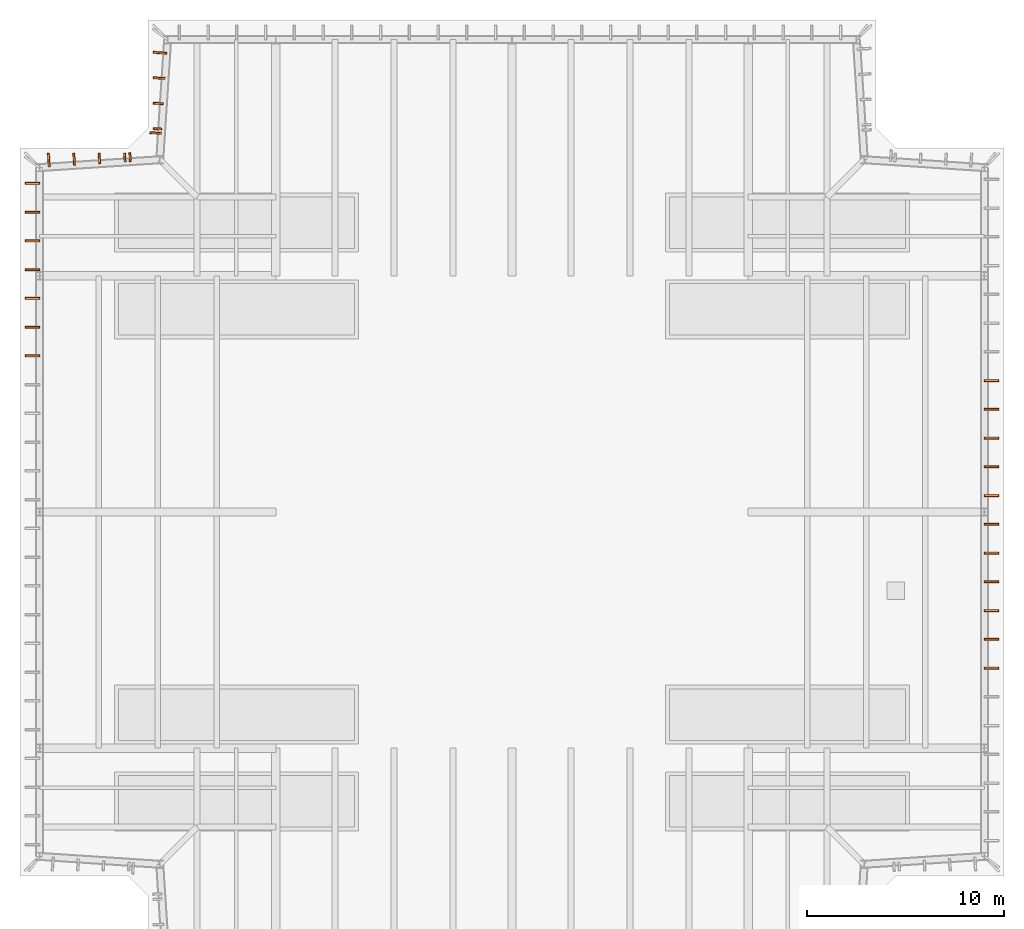
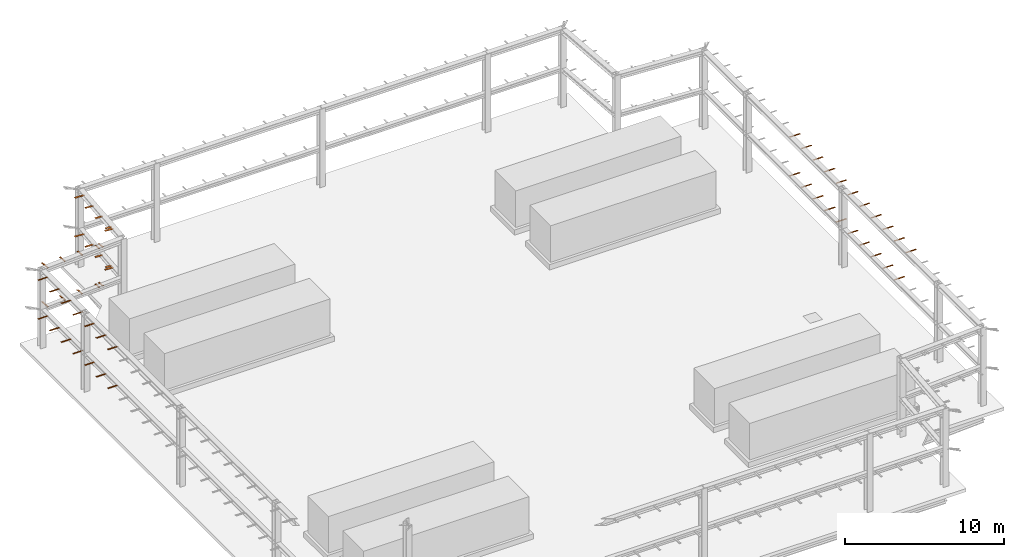
# One storey, part 6 of 8: 55 proxies.
"""IFC4 building model written with IfcOpenShell, lengths in metres."""

from ifc_helpers import new_model, si_unit, direction, frame, origin, origin_2d, place, context, subcontext, project, spatial, rectangle, extrude, material, material_profile, profile_set, type_object, element, save


model = new_model("IFC4")

# Units and contexts
model_context = context("Model", 3, precision=1e-05, world=origin(), true_north=direction((0.0, 1.0)))
body_context = subcontext(model_context, "Body", "Model", "MODEL_VIEW")
ifc_project = project(units=[si_unit("LENGTHUNIT", "METRE"), si_unit("AREAUNIT", "SQUARE_METRE"), si_unit("VOLUMEUNIT", "CUBIC_METRE"), si_unit("PLANEANGLEUNIT", "RADIAN"), si_unit("MASSUNIT", "GRAM", prefix="KILO")], contexts=[model_context])

# Site, building, storey
site_placement = place(None, origin())
site = spatial("IfcSite", under=ifc_project, at=site_placement, CompositionType="ELEMENT")
building_placement = place(site_placement, origin())
building = spatial("IfcBuilding", under=site, at=building_placement, Name="Fenwick Lantern Interchange", CompositionType="ELEMENT")
storey_placement = place(building_placement, frame((0.0, 0.0, 313.800048828125)))
storey = spatial("IfcBuildingStorey", under=building, at=storey_placement, Name="RF-A", CompositionType="ELEMENT", Elevation=313.800048828125)

# Proxies
ifc_material = material(Name="Steel ASTM A572 Grade 50", Category="steel")
ifc_material_profile = material_profile(ifc_material, rectangle(XDim=0.10009765625, YDim=0.011962890625, at=origin_2d()), Name="PL100X12")
ifc_profile_set = profile_set([ifc_material_profile], Name="Steel ASTM A572 Grade 50")
building_element_proxy_type = type_object("IfcBuildingElementProxyType", Name="LANTERN TIE BRACKET PL 100 X 12", PredefinedType="USERDEFINED", material=ifc_profile_set)
proxy_1_placement = place(storey_placement, frame((49.72509765625, 17.065673828125, 5.822265625), z_axis=(-1.0, 0.0, 0.0), x_axis=(0.0, -1.0, 0.0)))
element("IfcBuildingElementProxy", 1, at=proxy_1_placement, inside=storey, type_object=building_element_proxy_type, Name="Lantern tie bracket", ObjectType="LANTERN TIE BRACKET", PredefinedType="USERDEFINED", context=body_context, shape_type="SweptSolid", body=[
    extrude(rectangle(XDim=0.10009765625, YDim=0.011962890625, at=origin_2d()), origin(), (0.0, 0.0, 1.0), 0.719482421875),
])
proxy_2_placement = place(storey_placement, frame((49.72509765625, 18.5263671875, 2.84619140625), z_axis=(-1.0, 0.0, 0.0), x_axis=(0.0, -1.0, 0.0)))
element("IfcBuildingElementProxy", 2, at=proxy_2_placement, inside=storey, type_object=building_element_proxy_type, Name="Lantern tie bracket", ObjectType="LANTERN TIE BRACKET", PredefinedType="USERDEFINED", context=body_context, shape_type="SweptSolid", body=[
    extrude(rectangle(XDim=0.10009765625, YDim=0.011962890625, at=origin_2d()), origin(), (0.0, 0.0, 1.0), 0.72021484375),
])
proxy_3_placement = place(storey_placement, frame((49.72509765625, 18.5263671875, 5.822265625), z_axis=(-1.0, 0.0, 0.0), x_axis=(0.0, -1.0, 0.0)))
element("IfcBuildingElementProxy", 3, at=proxy_3_placement, inside=storey, type_object=building_element_proxy_type, Name="Lantern tie bracket", ObjectType="LANTERN TIE BRACKET", PredefinedType="USERDEFINED", context=body_context, shape_type="SweptSolid", body=[
    extrude(rectangle(XDim=0.10009765625, YDim=0.011962890625, at=origin_2d()), origin(), (0.0, 0.0, 1.0), 0.719482421875),
])
proxy_4_placement = place(storey_placement, frame((49.72509765625, 19.9873046875, 2.84619140625), z_axis=(-1.0, 0.0, 0.0), x_axis=(0.0, -1.0, 0.0)))
element("IfcBuildingElementProxy", 4, at=proxy_4_placement, inside=storey, type_object=building_element_proxy_type, Name="Lantern tie bracket", ObjectType="LANTERN TIE BRACKET", PredefinedType="USERDEFINED", context=body_context, shape_type="SweptSolid", body=[
    extrude(rectangle(XDim=0.10009765625, YDim=0.011962890625, at=origin_2d()), origin(), (0.0, 0.0, 1.0), 0.72021484375),
])
proxy_5_placement = place(storey_placement, frame((49.72509765625, 19.9873046875, 5.822265625), z_axis=(-1.0, 0.0, 0.0), x_axis=(0.0, -1.0, 0.0)))
element("IfcBuildingElementProxy", 5, at=proxy_5_placement, inside=storey, type_object=building_element_proxy_type, Name="Lantern tie bracket", ObjectType="LANTERN TIE BRACKET", PredefinedType="USERDEFINED", context=body_context, shape_type="SweptSolid", body=[
    extrude(rectangle(XDim=0.10009765625, YDim=0.011962890625, at=origin_2d()), origin(), (0.0, 0.0, 1.0), 0.719482421875),
])
proxy_6_placement = place(storey_placement, frame((49.72509765625, 21.447998046875, 2.84619140625), z_axis=(-1.0, 0.0, 0.0), x_axis=(0.0, -1.0, 0.0)))
element("IfcBuildingElementProxy", 6, at=proxy_6_placement, inside=storey, type_object=building_element_proxy_type, Name="Lantern tie bracket", ObjectType="LANTERN TIE BRACKET", PredefinedType="USERDEFINED", context=body_context, shape_type="SweptSolid", body=[
    extrude(rectangle(XDim=0.10009765625, YDim=0.011962890625, at=origin_2d()), origin(), (0.0, 0.0, 1.0), 0.72021484375),
])
proxy_7_placement = place(storey_placement, frame((49.72509765625, 21.447998046875, 5.822265625), z_axis=(-1.0, 0.0, 0.0), x_axis=(0.0, -1.0, 0.0)))
element("IfcBuildingElementProxy", 7, at=proxy_7_placement, inside=storey, type_object=building_element_proxy_type, Name="Lantern tie bracket", ObjectType="LANTERN TIE BRACKET", PredefinedType="USERDEFINED", context=body_context, shape_type="SweptSolid", body=[
    extrude(rectangle(XDim=0.10009765625, YDim=0.011962890625, at=origin_2d()), origin(), (0.0, 0.0, 1.0), 0.719482421875),
])
proxy_8_placement = place(storey_placement, frame((49.72509765625, 22.90869140625, 2.84619140625), z_axis=(-1.0, 0.0, 0.0), x_axis=(0.0, -1.0, 0.0)))
element("IfcBuildingElementProxy", 8, at=proxy_8_placement, inside=storey, type_object=building_element_proxy_type, Name="Lantern tie bracket", ObjectType="LANTERN TIE BRACKET", PredefinedType="USERDEFINED", context=body_context, shape_type="SweptSolid", body=[
    extrude(rectangle(XDim=0.10009765625, YDim=0.011962890625, at=origin_2d()), origin(), (0.0, 0.0, 1.0), 0.72021484375),
])
proxy_9_placement = place(storey_placement, frame((49.72509765625, 22.90869140625, 5.822265625), z_axis=(-1.0, 0.0, 0.0), x_axis=(0.0, -1.0, 0.0)))
element("IfcBuildingElementProxy", 9, at=proxy_9_placement, inside=storey, type_object=building_element_proxy_type, Name="Lantern tie bracket", ObjectType="LANTERN TIE BRACKET", PredefinedType="USERDEFINED", context=body_context, shape_type="SweptSolid", body=[
    extrude(rectangle(XDim=0.10009765625, YDim=0.011962890625, at=origin_2d()), origin(), (0.0, 0.0, 1.0), 0.719482421875),
])
proxy_10_placement = place(storey_placement, frame((49.72509765625, 24.36962890625, 2.84619140625), z_axis=(-1.0, 0.0, 0.0), x_axis=(0.0, -1.0, 0.0)))
element("IfcBuildingElementProxy", 10, at=proxy_10_placement, inside=storey, type_object=building_element_proxy_type, Name="Lantern tie bracket", ObjectType="LANTERN TIE BRACKET", PredefinedType="USERDEFINED", context=body_context, shape_type="SweptSolid", body=[
    extrude(rectangle(XDim=0.10009765625, YDim=0.011962890625, at=origin_2d()), origin(), (0.0, 0.0, 1.0), 0.72021484375),
])
proxy_11_placement = place(storey_placement, frame((49.72509765625, 24.36962890625, 5.822265625), z_axis=(-1.0, 0.0, 0.0), x_axis=(0.0, -1.0, 0.0)))
element("IfcBuildingElementProxy", 11, at=proxy_11_placement, inside=storey, type_object=building_element_proxy_type, Name="Lantern tie bracket", ObjectType="LANTERN TIE BRACKET", PredefinedType="USERDEFINED", context=body_context, shape_type="SweptSolid", body=[
    extrude(rectangle(XDim=0.10009765625, YDim=0.011962890625, at=origin_2d()), origin(), (0.0, 0.0, 1.0), 0.719482421875),
])
proxy_12_placement = place(storey_placement, frame((49.72509765625, 25.830322265625, 2.84619140625), z_axis=(-1.0, 0.0, 0.0), x_axis=(0.0, -1.0, 0.0)))
element("IfcBuildingElementProxy", 12, at=proxy_12_placement, inside=storey, type_object=building_element_proxy_type, Name="Lantern tie bracket", ObjectType="LANTERN TIE BRACKET", PredefinedType="USERDEFINED", context=body_context, shape_type="SweptSolid", body=[
    extrude(rectangle(XDim=0.10009765625, YDim=0.011962890625, at=origin_2d()), origin(), (0.0, 0.0, 1.0), 0.72021484375),
])
proxy_13_placement = place(storey_placement, frame((49.72509765625, 25.830322265625, 5.822265625), z_axis=(-1.0, 0.0, 0.0), x_axis=(0.0, -1.0, 0.0)))
element("IfcBuildingElementProxy", 13, at=proxy_13_placement, inside=storey, type_object=building_element_proxy_type, Name="Lantern tie bracket", ObjectType="LANTERN TIE BRACKET", PredefinedType="USERDEFINED", context=body_context, shape_type="SweptSolid", body=[
    extrude(rectangle(XDim=0.10009765625, YDim=0.011962890625, at=origin_2d()), origin(), (0.0, 0.0, 1.0), 0.719482421875),
])
proxy_14_placement = place(storey_placement, frame((49.72509765625, 27.291259765625, 2.84619140625), z_axis=(-1.0, 0.0, 0.0), x_axis=(0.0, -1.0, 0.0)))
element("IfcBuildingElementProxy", 14, at=proxy_14_placement, inside=storey, type_object=building_element_proxy_type, Name="Lantern tie bracket", ObjectType="LANTERN TIE BRACKET", PredefinedType="USERDEFINED", context=body_context, shape_type="SweptSolid", body=[
    extrude(rectangle(XDim=0.10009765625, YDim=0.011962890625, at=origin_2d()), origin(), (0.0, 0.0, 1.0), 0.72021484375),
])
proxy_15_placement = place(storey_placement, frame((49.72509765625, 27.291259765625, 5.822265625), z_axis=(-1.0, 0.0, 0.0), x_axis=(0.0, -1.0, 0.0)))
element("IfcBuildingElementProxy", 15, at=proxy_15_placement, inside=storey, type_object=building_element_proxy_type, Name="Lantern tie bracket", ObjectType="LANTERN TIE BRACKET", PredefinedType="USERDEFINED", context=body_context, shape_type="SweptSolid", body=[
    extrude(rectangle(XDim=0.10009765625, YDim=0.011962890625, at=origin_2d()), origin(), (0.0, 0.0, 1.0), 0.719482421875),
])
proxy_16_placement = place(storey_placement, frame((49.72509765625, 28.751953125, 2.84619140625), z_axis=(-1.0, 0.0, 0.0), x_axis=(0.0, -1.0, 0.0)))
element("IfcBuildingElementProxy", 16, at=proxy_16_placement, inside=storey, type_object=building_element_proxy_type, Name="Lantern tie bracket", ObjectType="LANTERN TIE BRACKET", PredefinedType="USERDEFINED", context=body_context, shape_type="SweptSolid", body=[
    extrude(rectangle(XDim=0.10009765625, YDim=0.011962890625, at=origin_2d()), origin(), (0.0, 0.0, 1.0), 0.72021484375),
])
proxy_17_placement = place(storey_placement, frame((49.72509765625, 28.751953125, 5.822265625), z_axis=(-1.0, 0.0, 0.0), x_axis=(0.0, -1.0, 0.0)))
element("IfcBuildingElementProxy", 17, at=proxy_17_placement, inside=storey, type_object=building_element_proxy_type, Name="Lantern tie bracket", ObjectType="LANTERN TIE BRACKET", PredefinedType="USERDEFINED", context=body_context, shape_type="SweptSolid", body=[
    extrude(rectangle(XDim=0.10009765625, YDim=0.011962890625, at=origin_2d()), origin(), (0.0, 0.0, 1.0), 0.719482421875),
])
proxy_18_placement = place(storey_placement, frame((49.72509765625, 30.212890625, 2.84619140625), z_axis=(-1.0, 0.0, 0.0), x_axis=(0.0, -1.0, 0.0)))
element("IfcBuildingElementProxy", 18, at=proxy_18_placement, inside=storey, type_object=building_element_proxy_type, Name="Lantern tie bracket", ObjectType="LANTERN TIE BRACKET", PredefinedType="USERDEFINED", context=body_context, shape_type="SweptSolid", body=[
    extrude(rectangle(XDim=0.10009765625, YDim=0.011962890625, at=origin_2d()), origin(), (0.0, 0.0, 1.0), 0.72021484375),
])
proxy_19_placement = place(storey_placement, frame((49.72509765625, 30.212890625, 5.822265625), z_axis=(-1.0, 0.0, 0.0), x_axis=(0.0, -1.0, 0.0)))
element("IfcBuildingElementProxy", 19, at=proxy_19_placement, inside=storey, type_object=building_element_proxy_type, Name="Lantern tie bracket", ObjectType="LANTERN TIE BRACKET", PredefinedType="USERDEFINED", context=body_context, shape_type="SweptSolid", body=[
    extrude(rectangle(XDim=0.10009765625, YDim=0.011962890625, at=origin_2d()), origin(), (0.0, 0.0, 1.0), 0.719482421875),
])
proxy_20_placement = place(storey_placement, frame((49.72509765625, 31.673583984375, 2.84619140625), z_axis=(-1.0, 0.0, 0.0), x_axis=(0.0, -1.0, 0.0)))
element("IfcBuildingElementProxy", 20, at=proxy_20_placement, inside=storey, type_object=building_element_proxy_type, Name="Lantern tie bracket", ObjectType="LANTERN TIE BRACKET", PredefinedType="USERDEFINED", context=body_context, shape_type="SweptSolid", body=[
    extrude(rectangle(XDim=0.10009765625, YDim=0.011962890625, at=origin_2d()), origin(), (0.0, 0.0, 1.0), 0.72021484375),
])
proxy_21_placement = place(storey_placement, frame((49.72509765625, 31.673583984375, 5.822265625), z_axis=(-1.0, 0.0, 0.0), x_axis=(0.0, -1.0, 0.0)))
element("IfcBuildingElementProxy", 21, at=proxy_21_placement, inside=storey, type_object=building_element_proxy_type, Name="Lantern tie bracket", ObjectType="LANTERN TIE BRACKET", PredefinedType="USERDEFINED", context=body_context, shape_type="SweptSolid", body=[
    extrude(rectangle(XDim=0.10009765625, YDim=0.011962890625, at=origin_2d()), origin(), (0.0, 0.0, 1.0), 0.719482421875),
])
proxy_22_placement = place(storey_placement, frame((6.774658203125, 48.358154296875, 2.84619140625), z_axis=(0.997865821325, -0.065297799588, 0.0), x_axis=(0.065297799588, 0.997865821325, 0.0)))
element("IfcBuildingElementProxy", 22, at=proxy_22_placement, inside=storey, type_object=building_element_proxy_type, Name="Lantern tie bracket", ObjectType="LANTERN TIE BRACKET", PredefinedType="USERDEFINED", context=body_context, shape_type="SweptSolid", body=[
    extrude(rectangle(XDim=0.10009765625, YDim=0.011962890625, at=origin_2d()), origin(), (0.0, 0.0, 1.0), 0.6767578125),
])
proxy_23_placement = place(storey_placement, frame((6.774658203125, 48.358154296875, 5.822265625), z_axis=(0.997862741569, -0.06534484668, 0.0), x_axis=(0.06534484668, 0.997862741569, 0.0)))
element("IfcBuildingElementProxy", 23, at=proxy_23_placement, inside=storey, type_object=building_element_proxy_type, Name="Lantern tie bracket", ObjectType="LANTERN TIE BRACKET", PredefinedType="USERDEFINED", context=body_context, shape_type="SweptSolid", body=[
    extrude(rectangle(XDim=0.10009765625, YDim=0.011962890625, at=origin_2d()), origin(), (0.0, 0.0, 1.0), 0.67626953125),
])
proxy_24_placement = place(storey_placement, frame((6.774658203125, 47.06787109375, 2.84619140625), z_axis=(0.997850326374, -0.06553416022, 0.0), x_axis=(0.06553416022, 0.997850326374, 0.0)))
element("IfcBuildingElementProxy", 24, at=proxy_24_placement, inside=storey, type_object=building_element_proxy_type, Name="Lantern tie bracket", ObjectType="LANTERN TIE BRACKET", PredefinedType="USERDEFINED", context=body_context, shape_type="SweptSolid", body=[
    extrude(rectangle(XDim=0.10009765625, YDim=0.011962890625, at=origin_2d()), origin(), (0.0, 0.0, 1.0), 0.59228515625),
])
proxy_25_placement = place(storey_placement, frame((6.774658203125, 47.06787109375, 5.822265625), z_axis=(0.997846781733, -0.065588110085, 0.0), x_axis=(0.065588110085, 0.997846781733, 0.0)))
element("IfcBuildingElementProxy", 25, at=proxy_25_placement, inside=storey, type_object=building_element_proxy_type, Name="Lantern tie bracket", ObjectType="LANTERN TIE BRACKET", PredefinedType="USERDEFINED", context=body_context, shape_type="SweptSolid", body=[
    extrude(rectangle(XDim=0.10009765625, YDim=0.011962890625, at=origin_2d()), origin(), (0.0, 0.0, 1.0), 0.591796875),
])
proxy_26_placement = place(storey_placement, frame((6.774658203125, 45.777587890625, 2.84619140625), z_axis=(0.99782959513, -0.065849062877, 0.0), x_axis=(0.065849062877, 0.99782959513, 0.0)))
element("IfcBuildingElementProxy", 26, at=proxy_26_placement, inside=storey, type_object=building_element_proxy_type, Name="Lantern tie bracket", ObjectType="LANTERN TIE BRACKET", PredefinedType="USERDEFINED", context=body_context, shape_type="SweptSolid", body=[
    extrude(rectangle(XDim=0.10009765625, YDim=0.011962890625, at=origin_2d()), origin(), (0.0, 0.0, 1.0), 0.508056640625),
])
proxy_27_placement = place(storey_placement, frame((6.774658203125, 45.777587890625, 5.822265625), z_axis=(0.99785694905, -0.065433242561, 0.0), x_axis=(0.065433242561, 0.99785694905, 0.0)))
element("IfcBuildingElementProxy", 27, at=proxy_27_placement, inside=storey, type_object=building_element_proxy_type, Name="Lantern tie bracket", ObjectType="LANTERN TIE BRACKET", PredefinedType="USERDEFINED", context=body_context, shape_type="SweptSolid", body=[
    extrude(rectangle(XDim=0.10009765625, YDim=0.011962890625, at=origin_2d()), origin(), (0.0, 0.0, 1.0), 0.50732421875),
])
proxy_28_placement = place(storey_placement, frame((6.774658203125, 44.487060546875, 2.84619140625), z_axis=(0.997876034789, -0.065141532023, 0.0), x_axis=(0.065141532023, 0.997876034789, 0.0)))
element("IfcBuildingElementProxy", 28, at=proxy_28_placement, inside=storey, type_object=building_element_proxy_type, Name="Lantern tie bracket", ObjectType="LANTERN TIE BRACKET", PredefinedType="USERDEFINED", context=body_context, shape_type="SweptSolid", body=[
    extrude(rectangle(XDim=0.10009765625, YDim=0.011962890625, at=origin_2d()), origin(), (0.0, 0.0, 1.0), 0.423583984375),
])
proxy_29_placement = place(storey_placement, frame((6.774658203125, 44.487060546875, 5.822265625), z_axis=(0.997871133893, -0.065216563407, 0.0), x_axis=(0.065216563407, 0.997871133893, 0.0)))
element("IfcBuildingElementProxy", 29, at=proxy_29_placement, inside=storey, type_object=building_element_proxy_type, Name="Lantern tie bracket", ObjectType="LANTERN TIE BRACKET", PredefinedType="USERDEFINED", context=body_context, shape_type="SweptSolid", body=[
    extrude(rectangle(XDim=0.10009765625, YDim=0.011962890625, at=origin_2d()), origin(), (0.0, 0.0, 1.0), 0.423095703125),
])
proxy_30_placement = place(storey_placement, frame((6.60498046875, 44.27734375, 2.84619140625), z_axis=(0.997862811186, -0.06534378358, 0.0), x_axis=(0.06534378358, 0.997862811186, 0.0)))
element("IfcBuildingElementProxy", 30, at=proxy_30_placement, inside=storey, type_object=building_element_proxy_type, Name="Lantern tie bracket", ObjectType="LANTERN TIE BRACKET", PredefinedType="USERDEFINED", context=body_context, shape_type="SweptSolid", body=[
    extrude(rectangle(XDim=0.10009765625, YDim=0.011962890625, at=origin_2d()), origin(), (0.0, 0.0, 1.0), 0.5791015625),
])
proxy_31_placement = place(storey_placement, frame((6.60498046875, 44.27734375, 5.822265625), z_axis=(0.997857400839, -0.065426352424, 0.0), x_axis=(0.065426352424, 0.997857400839, 0.0)))
element("IfcBuildingElementProxy", 31, at=proxy_31_placement, inside=storey, type_object=building_element_proxy_type, Name="Lantern tie bracket", ObjectType="LANTERN TIE BRACKET", PredefinedType="USERDEFINED", context=body_context, shape_type="SweptSolid", body=[
    extrude(rectangle(XDim=0.10009765625, YDim=0.011962890625, at=origin_2d()), origin(), (0.0, 0.0, 1.0), 0.578369140625),
])
proxy_32_placement = place(storey_placement, frame((5.5810546875, 43.253662109375, 2.84619140625), z_axis=(0.065504525527, -0.9978522722, 0.0), x_axis=(0.9978522722, 0.065504525527, 0.0)))
element("IfcBuildingElementProxy", 32, at=proxy_32_placement, inside=storey, type_object=building_element_proxy_type, Name="Lantern tie bracket", ObjectType="LANTERN TIE BRACKET", PredefinedType="USERDEFINED", context=body_context, shape_type="SweptSolid", body=[
    extrude(rectangle(XDim=0.10009765625, YDim=0.011962890625, at=origin_2d()), origin(), (0.0, 0.0, 1.0), 0.447265625),
])
proxy_33_placement = place(storey_placement, frame((5.5810546875, 43.253662109375, 5.822265625), z_axis=(0.065575963639, -0.997847580041, 0.0), x_axis=(0.997847580041, 0.065575963639, 0.0)))
element("IfcBuildingElementProxy", 33, at=proxy_33_placement, inside=storey, type_object=building_element_proxy_type, Name="Lantern tie bracket", ObjectType="LANTERN TIE BRACKET", PredefinedType="USERDEFINED", context=body_context, shape_type="SweptSolid", body=[
    extrude(rectangle(XDim=0.10009765625, YDim=0.011962890625, at=origin_2d()), origin(), (0.0, 0.0, 1.0), 0.44677734375),
])
proxy_34_placement = place(storey_placement, frame((5.31298828125, 43.225341796875, 2.84619140625), z_axis=(0.065405867239, -0.997858743776, 0.0), x_axis=(0.997858743776, 0.065405867239, 0.0)))
element("IfcBuildingElementProxy", 34, at=proxy_34_placement, inside=storey, type_object=building_element_proxy_type, Name="Lantern tie bracket", ObjectType="LANTERN TIE BRACKET", PredefinedType="USERDEFINED", context=body_context, shape_type="SweptSolid", body=[
    extrude(rectangle(XDim=0.10009765625, YDim=0.011962890625, at=origin_2d()), origin(), (0.0, 0.0, 1.0), 0.436767578125),
])
proxy_35_placement = place(storey_placement, frame((5.31298828125, 43.225341796875, 5.822265625), z_axis=(0.064957917223, -0.997888004232, 0.0), x_axis=(0.997888004232, 0.064957917223, 0.0)))
element("IfcBuildingElementProxy", 35, at=proxy_35_placement, inside=storey, type_object=building_element_proxy_type, Name="Lantern tie bracket", ObjectType="LANTERN TIE BRACKET", PredefinedType="USERDEFINED", context=body_context, shape_type="SweptSolid", body=[
    extrude(rectangle(XDim=0.10009765625, YDim=0.011962890625, at=origin_2d()), origin(), (0.0, 0.0, 1.0), 0.43603515625),
])
proxy_36_placement = place(storey_placement, frame((4.0224609375, 43.225341796875, 2.84619140625), z_axis=(0.065586181778, -0.997846908478, 0.0), x_axis=(0.997846908478, 0.065586181778, 0.0)))
element("IfcBuildingElementProxy", 36, at=proxy_36_placement, inside=storey, type_object=building_element_proxy_type, Name="Lantern tie bracket", ObjectType="LANTERN TIE BRACKET", PredefinedType="USERDEFINED", context=body_context, shape_type="SweptSolid", body=[
    extrude(rectangle(XDim=0.10009765625, YDim=0.011962890625, at=origin_2d()), origin(), (0.0, 0.0, 1.0), 0.521240234375),
])
proxy_37_placement = place(storey_placement, frame((4.0224609375, 43.225341796875, 5.822265625), z_axis=(0.065678288217, -0.997840850265, 0.0), x_axis=(0.997840850265, 0.065678288217, 0.0)))
element("IfcBuildingElementProxy", 37, at=proxy_37_placement, inside=storey, type_object=building_element_proxy_type, Name="Lantern tie bracket", ObjectType="LANTERN TIE BRACKET", PredefinedType="USERDEFINED", context=body_context, shape_type="SweptSolid", body=[
    extrude(rectangle(XDim=0.10009765625, YDim=0.011962890625, at=origin_2d()), origin(), (0.0, 0.0, 1.0), 0.5205078125),
])
proxy_38_placement = place(storey_placement, frame((2.732177734375, 43.225341796875, 2.84619140625), z_axis=(0.065314781015, -0.997864709959, 0.0), x_axis=(0.997864709959, 0.065314781015, 0.0)))
element("IfcBuildingElementProxy", 38, at=proxy_38_placement, inside=storey, type_object=building_element_proxy_type, Name="Lantern tie bracket", ObjectType="LANTERN TIE BRACKET", PredefinedType="USERDEFINED", context=body_context, shape_type="SweptSolid", body=[
    extrude(rectangle(XDim=0.10009765625, YDim=0.011962890625, at=origin_2d()), origin(), (0.0, 0.0, 1.0), 0.60546875),
])
proxy_39_placement = place(storey_placement, frame((2.732177734375, 43.225341796875, 5.822265625), z_axis=(0.065393707765, -0.997859540709, 0.0), x_axis=(0.997859540709, 0.065393707765, 0.0)))
element("IfcBuildingElementProxy", 39, at=proxy_39_placement, inside=storey, type_object=building_element_proxy_type, Name="Lantern tie bracket", ObjectType="LANTERN TIE BRACKET", PredefinedType="USERDEFINED", context=body_context, shape_type="SweptSolid", body=[
    extrude(rectangle(XDim=0.10009765625, YDim=0.011962890625, at=origin_2d()), origin(), (0.0, 0.0, 1.0), 0.604736328125),
])
proxy_40_placement = place(storey_placement, frame((1.44189453125, 43.225341796875, 2.84619140625), z_axis=(0.065462122394, -0.997855054871, 0.0), x_axis=(0.997855054871, 0.065462122394, 0.0)))
element("IfcBuildingElementProxy", 40, at=proxy_40_placement, inside=storey, type_object=building_element_proxy_type, Name="Lantern tie bracket", ObjectType="LANTERN TIE BRACKET", PredefinedType="USERDEFINED", context=body_context, shape_type="SweptSolid", body=[
    extrude(rectangle(XDim=0.10009765625, YDim=0.011962890625, at=origin_2d()), origin(), (0.0, 0.0, 1.0), 0.68994140625),
])
proxy_41_placement = place(storey_placement, frame((1.44189453125, 43.225341796875, 5.822265625), z_axis=(0.065178822278, -0.997873599774, 0.0), x_axis=(0.997873599774, 0.065178822278, 0.0)))
element("IfcBuildingElementProxy", 41, at=proxy_41_placement, inside=storey, type_object=building_element_proxy_type, Name="Lantern tie bracket", ObjectType="LANTERN TIE BRACKET", PredefinedType="USERDEFINED", context=body_context, shape_type="SweptSolid", body=[
    extrude(rectangle(XDim=0.10009765625, YDim=0.011962890625, at=origin_2d()), origin(), (0.0, 0.0, 1.0), 0.689208984375),
])
proxy_42_placement = place(storey_placement, frame((0.27490234375, 41.69921875, 2.84619140625), z_axis=(1.0, 0.0, 0.0), x_axis=(0.0, 1.0, 0.0)))
element("IfcBuildingElementProxy", 42, at=proxy_42_placement, inside=storey, type_object=building_element_proxy_type, Name="Lantern tie bracket", ObjectType="LANTERN TIE BRACKET", PredefinedType="USERDEFINED", context=body_context, shape_type="SweptSolid", body=[
    extrude(rectangle(XDim=0.10009765625, YDim=0.011962890625, at=origin_2d()), origin(), (0.0, 0.0, 1.0), 0.72021484375),
])
proxy_43_placement = place(storey_placement, frame((0.27490234375, 41.69921875, 5.822265625), z_axis=(1.0, 0.0, 0.0), x_axis=(0.0, 1.0, 0.0)))
element("IfcBuildingElementProxy", 43, at=proxy_43_placement, inside=storey, type_object=building_element_proxy_type, Name="Lantern tie bracket", ObjectType="LANTERN TIE BRACKET", PredefinedType="USERDEFINED", context=body_context, shape_type="SweptSolid", body=[
    extrude(rectangle(XDim=0.10009765625, YDim=0.011962890625, at=origin_2d()), origin(), (0.0, 0.0, 1.0), 0.719482421875),
])
proxy_44_placement = place(storey_placement, frame((0.27490234375, 40.23828125, 2.84619140625), z_axis=(1.0, 0.0, 0.0), x_axis=(0.0, 1.0, 0.0)))
element("IfcBuildingElementProxy", 44, at=proxy_44_placement, inside=storey, type_object=building_element_proxy_type, Name="Lantern tie bracket", ObjectType="LANTERN TIE BRACKET", PredefinedType="USERDEFINED", context=body_context, shape_type="SweptSolid", body=[
    extrude(rectangle(XDim=0.10009765625, YDim=0.011962890625, at=origin_2d()), origin(), (0.0, 0.0, 1.0), 0.72021484375),
])
proxy_45_placement = place(storey_placement, frame((0.27490234375, 40.23828125, 5.822265625), z_axis=(1.0, 0.0, 0.0), x_axis=(0.0, 1.0, 0.0)))
element("IfcBuildingElementProxy", 45, at=proxy_45_placement, inside=storey, type_object=building_element_proxy_type, Name="Lantern tie bracket", ObjectType="LANTERN TIE BRACKET", PredefinedType="USERDEFINED", context=body_context, shape_type="SweptSolid", body=[
    extrude(rectangle(XDim=0.10009765625, YDim=0.011962890625, at=origin_2d()), origin(), (0.0, 0.0, 1.0), 0.719482421875),
])
proxy_46_placement = place(storey_placement, frame((0.27490234375, 38.777587890625, 2.84619140625), z_axis=(1.0, 0.0, 0.0), x_axis=(0.0, 1.0, 0.0)))
element("IfcBuildingElementProxy", 46, at=proxy_46_placement, inside=storey, type_object=building_element_proxy_type, Name="Lantern tie bracket", ObjectType="LANTERN TIE BRACKET", PredefinedType="USERDEFINED", context=body_context, shape_type="SweptSolid", body=[
    extrude(rectangle(XDim=0.10009765625, YDim=0.011962890625, at=origin_2d()), origin(), (0.0, 0.0, 1.0), 0.72021484375),
])
proxy_47_placement = place(storey_placement, frame((0.27490234375, 38.777587890625, 5.822265625), z_axis=(1.0, 0.0, 0.0), x_axis=(0.0, 1.0, 0.0)))
element("IfcBuildingElementProxy", 47, at=proxy_47_placement, inside=storey, type_object=building_element_proxy_type, Name="Lantern tie bracket", ObjectType="LANTERN TIE BRACKET", PredefinedType="USERDEFINED", context=body_context, shape_type="SweptSolid", body=[
    extrude(rectangle(XDim=0.10009765625, YDim=0.011962890625, at=origin_2d()), origin(), (0.0, 0.0, 1.0), 0.719482421875),
])
proxy_48_placement = place(storey_placement, frame((0.27490234375, 37.31689453125, 2.84619140625), z_axis=(1.0, 0.0, 0.0), x_axis=(0.0, 1.0, 0.0)))
element("IfcBuildingElementProxy", 48, at=proxy_48_placement, inside=storey, type_object=building_element_proxy_type, Name="Lantern tie bracket", ObjectType="LANTERN TIE BRACKET", PredefinedType="USERDEFINED", context=body_context, shape_type="SweptSolid", body=[
    extrude(rectangle(XDim=0.10009765625, YDim=0.011962890625, at=origin_2d()), origin(), (0.0, 0.0, 1.0), 0.72021484375),
])
proxy_49_placement = place(storey_placement, frame((0.27490234375, 37.31689453125, 5.822265625), z_axis=(1.0, 0.0, 0.0), x_axis=(0.0, 1.0, 0.0)))
element("IfcBuildingElementProxy", 49, at=proxy_49_placement, inside=storey, type_object=building_element_proxy_type, Name="Lantern tie bracket", ObjectType="LANTERN TIE BRACKET", PredefinedType="USERDEFINED", context=body_context, shape_type="SweptSolid", body=[
    extrude(rectangle(XDim=0.10009765625, YDim=0.011962890625, at=origin_2d()), origin(), (0.0, 0.0, 1.0), 0.719482421875),
])
proxy_50_placement = place(storey_placement, frame((0.27490234375, 35.85595703125, 2.84619140625), z_axis=(1.0, 0.0, 0.0), x_axis=(0.0, 1.0, 0.0)))
element("IfcBuildingElementProxy", 50, at=proxy_50_placement, inside=storey, type_object=building_element_proxy_type, Name="Lantern tie bracket", ObjectType="LANTERN TIE BRACKET", PredefinedType="USERDEFINED", context=body_context, shape_type="SweptSolid", body=[
    extrude(rectangle(XDim=0.10009765625, YDim=0.011962890625, at=origin_2d()), origin(), (0.0, 0.0, 1.0), 0.72021484375),
])
proxy_51_placement = place(storey_placement, frame((0.27490234375, 35.85595703125, 5.822265625), z_axis=(1.0, 0.0, 0.0), x_axis=(0.0, 1.0, 0.0)))
element("IfcBuildingElementProxy", 51, at=proxy_51_placement, inside=storey, type_object=building_element_proxy_type, Name="Lantern tie bracket", ObjectType="LANTERN TIE BRACKET", PredefinedType="USERDEFINED", context=body_context, shape_type="SweptSolid", body=[
    extrude(rectangle(XDim=0.10009765625, YDim=0.011962890625, at=origin_2d()), origin(), (0.0, 0.0, 1.0), 0.719482421875),
])
proxy_52_placement = place(storey_placement, frame((0.27490234375, 34.395263671875, 2.84619140625), z_axis=(1.0, 0.0, 0.0), x_axis=(0.0, 1.0, 0.0)))
element("IfcBuildingElementProxy", 52, at=proxy_52_placement, inside=storey, type_object=building_element_proxy_type, Name="Lantern tie bracket", ObjectType="LANTERN TIE BRACKET", PredefinedType="USERDEFINED", context=body_context, shape_type="SweptSolid", body=[
    extrude(rectangle(XDim=0.10009765625, YDim=0.011962890625, at=origin_2d()), origin(), (0.0, 0.0, 1.0), 0.72021484375),
])
proxy_53_placement = place(storey_placement, frame((0.27490234375, 34.395263671875, 5.822265625), z_axis=(1.0, 0.0, 0.0), x_axis=(0.0, 1.0, 0.0)))
element("IfcBuildingElementProxy", 53, at=proxy_53_placement, inside=storey, type_object=building_element_proxy_type, Name="Lantern tie bracket", ObjectType="LANTERN TIE BRACKET", PredefinedType="USERDEFINED", context=body_context, shape_type="SweptSolid", body=[
    extrude(rectangle(XDim=0.10009765625, YDim=0.011962890625, at=origin_2d()), origin(), (0.0, 0.0, 1.0), 0.719482421875),
])
proxy_54_placement = place(storey_placement, frame((0.27490234375, 32.934326171875, 2.84619140625), z_axis=(1.0, 0.0, 0.0), x_axis=(0.0, 1.0, 0.0)))
element("IfcBuildingElementProxy", 54, at=proxy_54_placement, inside=storey, type_object=building_element_proxy_type, Name="Lantern tie bracket", ObjectType="LANTERN TIE BRACKET", PredefinedType="USERDEFINED", context=body_context, shape_type="SweptSolid", body=[
    extrude(rectangle(XDim=0.10009765625, YDim=0.011962890625, at=origin_2d()), origin(), (0.0, 0.0, 1.0), 0.72021484375),
])
proxy_55_placement = place(storey_placement, frame((0.27490234375, 32.934326171875, 5.822265625), z_axis=(1.0, 0.0, 0.0), x_axis=(0.0, 1.0, 0.0)))
element("IfcBuildingElementProxy", 55, at=proxy_55_placement, inside=storey, type_object=building_element_proxy_type, Name="Lantern tie bracket", ObjectType="LANTERN TIE BRACKET", PredefinedType="USERDEFINED", context=body_context, shape_type="SweptSolid", body=[
    extrude(rectangle(XDim=0.10009765625, YDim=0.011962890625, at=origin_2d()), origin(), (0.0, 0.0, 1.0), 0.719482421875),
])

save(model, "model.ifc")
